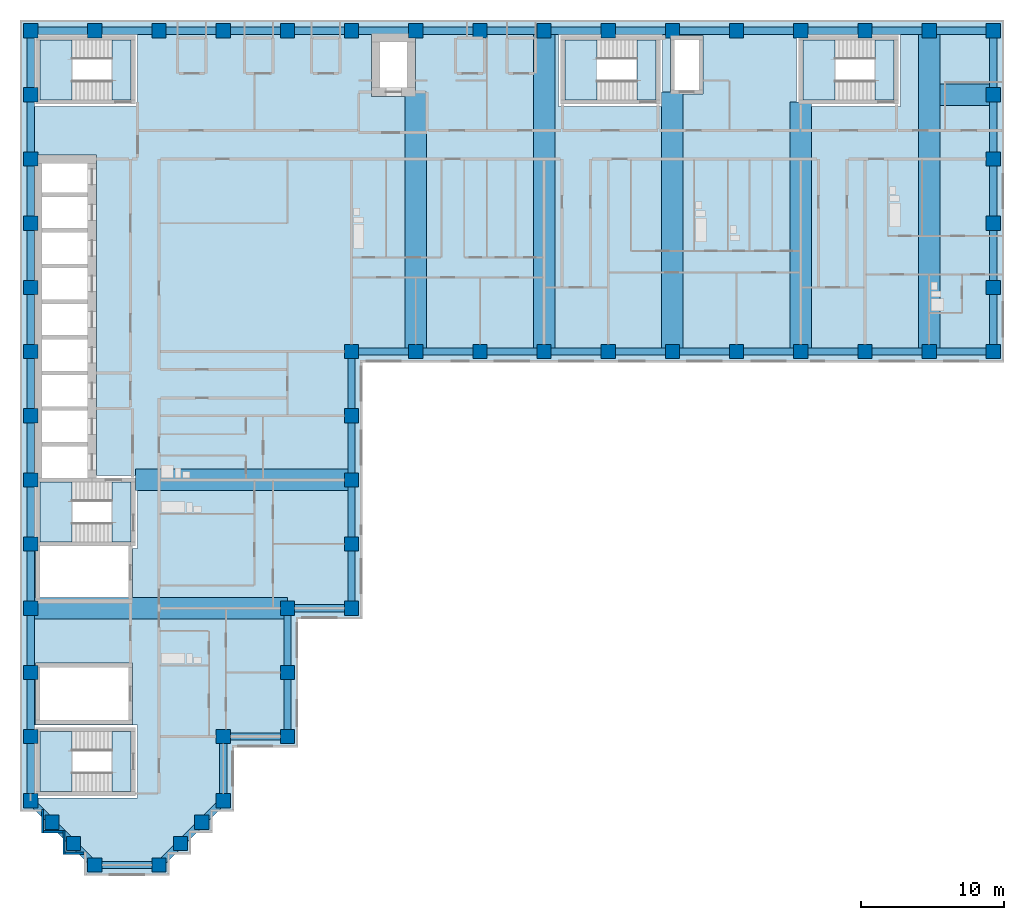
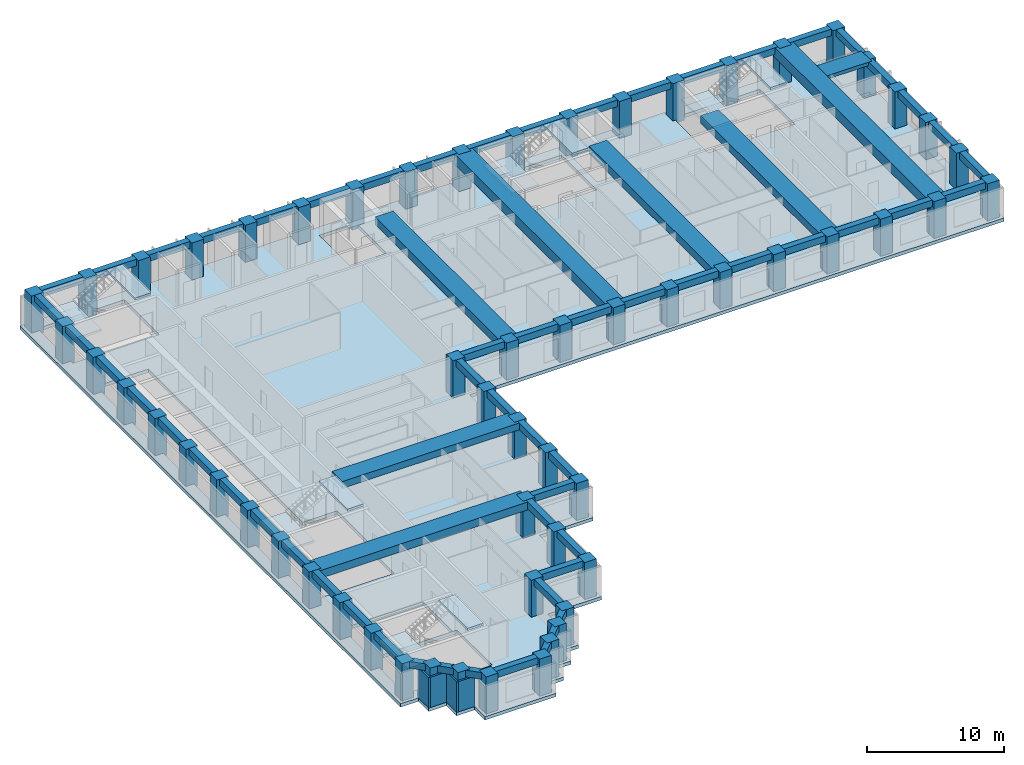
# One storey, part 1 of 11: 66 beams, 58 columns, 11 slabs, 4 walls, 5 elements without a shape of their own.
"""IFC4 building model written with IfcOpenShell, lengths in metres."""

from ifc_helpers import new_model, si_unit, direction, frame, frame_2d, origin, origin_2d, place, context, subcontext, project, spatial, polyline, rectangle, outline, extrude, material, layer, layer_set, material_profile, profile_set, type_object, element, aggregate, save


model = new_model("IFC4")

# Units and contexts
model_context = context("Model", 3, precision=1e-05, world=origin(), true_north=direction((0.0, 1.0)))
body_context = subcontext(model_context, "Body", "Model", "MODEL_VIEW")
ifc_project = project(units=[si_unit("LENGTHUNIT", "METRE"), si_unit("AREAUNIT", "SQUARE_METRE"), si_unit("VOLUMEUNIT", "CUBIC_METRE"), si_unit("PLANEANGLEUNIT", "RADIAN"), si_unit("MASSUNIT", "GRAM", prefix="KILO")], contexts=[model_context])

# Site, building, storey
site_placement = place(None, origin())
site = spatial("IfcSite", under=ifc_project, at=site_placement, CompositionType="ELEMENT")
building_placement = place(site_placement, origin())
building = spatial("IfcBuilding", under=site, at=building_placement, Name="Firuza Court", CompositionType="ELEMENT")
storey_placement = place(building_placement, frame((0.0, 0.0, 130.39990234375)))
storey = spatial("IfcBuildingStorey", under=building, at=storey_placement, Name="L32", CompositionType="ELEMENT", Elevation=130.39990234375)

# Columns
ifc_material_1 = material(Name="Concrete C60/75", Category="concrete")
ifc_material_profile_1 = material_profile(ifc_material_1, rectangle(XDim=1.0, YDim=1.0, at=origin_2d()), Name="RC 1000x1000")
ifc_profile_set_1 = profile_set([ifc_material_profile_1], Name="Concrete C60/75")
column_type = type_object("IfcColumnType", Name="Tube column RC 1000x1000 C60/75", PredefinedType="COLUMN", material=ifc_profile_set_1)
for number, where, z_axis, x_axis, name in (
    (1, (4.5, 0.0, -0.2998046875), (0.0, 0.0, 1.0), (1.0, 0.0, 0.0), "Column C-2D L32"),
    (2, (9.0, 0.0, -0.2998046875), (0.0, 0.0, 1.0), (1.0, 0.0, 0.0), "Column C-3D L32"),
    (3, (3.0, 1.5, -0.2998046875), (0.0, 0.0, 1.0), (1.0, 0.0, 0.0), "Column C-SA1 L32"),
    (4, (10.5, 1.5, -0.2998046875), (0.0, 0.0, 1.0), (1.0, 0.0, 0.0), "Column C-SA2 L32"),
    (5, (1.5, 3.0, -0.2998046875), (0.0, 0.0, 1.0), (1.0, 0.0, 0.0), "Column C-SA3 L32"),
    (6, (12.0, 3.0, -0.2998046875), (0.0, 0.0, 1.0), (1.0, 0.0, 0.0), "Column C-SA4 L32"),
    (7, (0.0, 4.5, -0.2998046875), (0.0, 0.0, 1.0), (1.0, 0.0, 0.0), "Column C-1E L32"),
    (8, (13.5, 4.5, -0.2998046875), (0.0, 0.0, 1.0), (1.0, 0.0, 0.0), "Column C-4E L32"),
    (9, (0.0, 9.0, -0.2998046875), (0.0, 0.0, 1.0), (1.0, 0.0, 0.0), "Column C-1F L32"),
    (10, (13.5, 9.0, -0.2998046875), (0.0, 0.0, 1.0), (1.0, 0.0, 0.0), "Column C-4F L32"),
    (11, (18.0, 9.0, -0.2998046875), (0.0, 0.0, 1.0), (1.0, 0.0, 0.0), "Column C-5F L32"),
    (12, (0.0, 13.5, -0.2998046875), (0.0, 0.0, 1.0), (1.0, 0.0, 0.0), "Column C-1G L32"),
    (13, (18.0, 13.5, -0.2998046875), (0.0, 0.0, 1.0), (1.0, 0.0, 0.0), "Column C-5G L32"),
    (14, (0.0, 18.0, -0.2998046875), (0.0, 0.0, 1.0), (1.0, 0.0, 0.0), "Column C-1H L32"),
    (15, (18.0, 18.0, -0.2998046875), (0.0, 0.0, 1.0), (1.0, 0.0, 0.0), "Column C-5H L32"),
    (16, (22.5, 18.0, -0.2998046875), (0.0, 0.0, 1.0), (1.0, 0.0, 0.0), "Column C-6H L32"),
    (17, (0.0, 22.5, -0.2998046875), (0.0, 0.0, 1.0), (1.0, 0.0, 0.0), "Column C-1J L32"),
    (18, (22.5, 22.5, -0.2998046875), (0.0, 0.0, 1.0), (1.0, 0.0, 0.0), "Column C-6J L32"),
    (19, (0.0, 27.0, -0.2998046875), (0.0, 0.0, 1.0), (1.0, 0.0, 0.0), "Column C-1K L32"),
    (20, (22.5, 27.0, -0.2998046875), (0.0, 0.0, 1.0), (1.0, 0.0, 0.0), "Column C-6K L32"),
    (21, (0.0, 31.5, -0.2998046875), (0.0, 0.0, 1.0), (1.0, 0.0, 0.0), "Column C-1L L32"),
    (22, (22.5, 31.5, -0.2998046875), (0.0, 0.0, 1.0), (1.0, 0.0, 0.0), "Column C-6L L32"),
    (23, (0.0, 36.0, -0.2998046875), (0.0, 0.0, 1.0), (1.0, 0.0, 0.0), "Column C-1M L32"),
    (24, (22.5, 36.0, -0.2998046875), (0.0, 0.0, 1.0), (1.0, 0.0, 0.0), "Column C-6M L32"),
    (25, (27.0, 36.0, -0.2998046875), (0.0, 0.0, 1.0), (1.0, 0.0, 0.0), "Column C-7M L32"),
    (26, (31.5, 36.0, -0.2998046875), (0.0, 0.0, 1.0), (1.0, 0.0, 0.0), "Column C-8M L32"),
    (27, (36.0, 36.0, -0.2998046875), (0.0, 0.0, 1.0), (1.0, 0.0, 0.0), "Column C-9M L32"),
    (28, (40.5, 36.0, -0.2998046875), (0.0, 0.0, 1.0), (1.0, 0.0, 0.0), "Column C-10M L32"),
    (29, (45.0, 36.0, -0.2998046875), (0.0, 0.0, 1.0), (1.0, 0.0, 0.0), "Column C-11M L32"),
    (30, (49.5, 36.0, -0.2998046875), (0.0, 0.0, 1.0), (1.0, 0.0, 0.0), "Column C-12M L32"),
    (31, (54.0, 36.0, -0.2998046875), (0.0, 0.0, 1.0), (1.0, 0.0, 0.0), "Column C-13M L32"),
    (32, (58.5, 36.0, -0.2998046875), (0.0, 0.0, 1.0), (1.0, 0.0, 0.0), "Column C-14M L32"),
    (33, (63.0, 36.0, -0.2998046875), (0.0, 0.0, 1.0), (1.0, 0.0, 0.0), "Column C-15M L32"),
    (34, (67.5, 36.0, -0.2998046875), (0.0, 0.0, 1.0), (1.0, 0.0, 0.0), "Column C-16M L32"),
    (35, (0.0, 40.5, -0.2998046875), (0.0, 0.0, 1.0), (1.0, 0.0, 0.0), "Column C-1N L32"),
    (36, (67.5, 40.5, -0.2998046875), (0.0, 0.0, 1.0), (1.0, 0.0, 0.0), "Column C-16N L32"),
    (37, (0.0, 45.0, -0.2998046875), (0.0, 0.0, 1.0), (1.0, 0.0, 0.0), "Column C-1P L32"),
    (38, (67.5, 45.0, -0.2998046875), (0.0, 0.0, 1.0), (1.0, 0.0, 0.0), "Column C-16P L32"),
    (39, (0.0, 49.5, -0.2998046875), (0.0, 0.0, 1.0), (1.0, 0.0, 0.0), "Column C-1Q L32"),
    (40, (67.5, 49.5, -0.2998046875), (0.0, 0.0, 1.0), (1.0, 0.0, 0.0), "Column C-16Q L32"),
    (41, (0.0, 54.0, -0.2998046875), (0.0, 0.0, 1.0), (1.0, 0.0, 0.0), "Column C-1R L32"),
    (42, (67.5, 54.0, -0.2998046875), (0.0, 0.0, 1.0), (1.0, 0.0, 0.0), "Column C-16R L32"),
    (43, (0.0, 58.5, -0.2998046875), (0.0, 0.0, 1.0), (1.0, 0.0, 0.0), "Column C-1S L32"),
    (44, (4.5, 58.5, -0.2998046875), (0.0, 0.0, 1.0), (1.0, 0.0, 0.0), "Column C-2S L32"),
    (45, (9.0, 58.5, -0.2998046875), (0.0, 0.0, 1.0), (1.0, 0.0, 0.0), "Column C-3S L32"),
    (46, (13.5, 58.5, -0.2998046875), (0.0, 0.0, 1.0), (1.0, 0.0, 0.0), "Column C-4S L32"),
    (47, (18.0, 58.5, -0.2998046875), (0.0, 0.0, 1.0), (1.0, 0.0, 0.0), "Column C-5S L32"),
    (48, (22.5, 58.5, -0.2998046875), (0.0, 0.0, 1.0), (1.0, 0.0, 0.0), "Column C-6S L32"),
    (49, (27.0, 58.5, -0.2998046875), (0.0, 0.0, 1.0), (1.0, 0.0, 0.0), "Column C-7S L32"),
    (50, (31.5, 58.5, -0.2998046875), (0.0, 0.0, 1.0), (1.0, 0.0, 0.0), "Column C-8S L32"),
    (51, (36.0, 58.5, -0.2998046875), (0.0, 0.0, 1.0), (1.0, 0.0, 0.0), "Column C-9S L32"),
    (52, (40.5, 58.5, -0.2998046875), (0.0, 0.0, 1.0), (1.0, 0.0, 0.0), "Column C-10S L32"),
    (53, (45.0, 58.5, -0.2998046875), (0.0, 0.0, 1.0), (1.0, 0.0, 0.0), "Column C-11S L32"),
    (54, (49.5, 58.5, -0.2998046875), (0.0, 0.0, 1.0), (1.0, 0.0, 0.0), "Column C-12S L32"),
    (55, (54.0, 58.5, -0.2998046875), (0.0, 0.0, 1.0), (1.0, 0.0, 0.0), "Column C-13S L32"),
    (56, (58.5, 58.5, -0.2998046875), (0.0, 0.0, 1.0), (1.0, 0.0, 0.0), "Column C-14S L32"),
    (57, (63.0, 58.5, -0.2998046875), (0.0, 0.0, 1.0), (1.0, 0.0, 0.0), "Column C-15S L32"),
    (58, (67.5, 58.5, -0.2998046875), (0.0, 0.0, 1.0), (1.0, 0.0, 0.0), "Column C-16S L32"),
):
    element("IfcColumn", number, at=place(storey_placement, frame(where, z_axis=z_axis, x_axis=x_axis)), inside=storey, type_object=column_type, Name=name, PredefinedType="COLUMN", context=body_context, shape_type="SweptSolid", body=[
        extrude(rectangle(XDim=1.0, YDim=1.0, at=origin_2d()), origin(), (0.0, 0.0, 1.0), 3.599853515625),
    ])

# Beams
ifc_material_2 = material(Name="Concrete C40/50", Category="concrete")
ifc_material_profile_2 = material_profile(ifc_material_2, rectangle(XDim=1.5, YDim=0.300048828125, at=origin_2d()), Name="RC 1500x300")
ifc_profile_set_2 = profile_set([ifc_material_profile_2], Name="Concrete C40/50")
beam_type_1 = type_object("IfcBeamType", Name="Band beam RC 1500x300 C40/50", PredefinedType="BEAM", material=ifc_profile_set_2)
beam_1_placement = place(storey_placement, frame((67.5, 54.0, 3.150146484375), z_axis=(-1.0, 0.0, 0.0), x_axis=(0.0, -1.0, 0.0)))
element("IfcBeam", 59, at=beam_1_placement, inside=storey, type_object=beam_type_1, Name="Band beam FB6 level L33", PredefinedType="BEAM", context=body_context, shape_type="SweptSolid", body=[
    extrude(rectangle(XDim=1.5, YDim=0.300048828125, at=origin_2d()), origin(), (0.0, 0.0, 1.0), 3.75),
])
ifc_material_3 = material(Name="Concrete C40/50", Category="concrete")
ifc_material_profile_3 = material_profile(ifc_material_3, rectangle(XDim=1.5, YDim=0.60009765625, at=origin_2d()), Name="RC 1500x600")
ifc_profile_set_3 = profile_set([ifc_material_profile_3], Name="Concrete C40/50")
beam_type_2 = type_object("IfcBeamType", Name="Band beam RC 1500x600 C40/50", PredefinedType="BEAM", material=ifc_profile_set_3)
beam_2_placement = place(storey_placement, frame((22.5, 27.0, 3.0), z_axis=(-1.0, 0.0, 0.0), x_axis=(0.0, -1.0, 0.0)))
element("IfcBeam", 60, at=beam_2_placement, inside=storey, type_object=beam_type_2, Name="Band beam FB3 level L33", PredefinedType="BEAM", context=body_context, shape_type="SweptSolid", body=[
    extrude(rectangle(XDim=1.5, YDim=0.60009765625, at=origin_2d()), origin(), (0.0, 0.0, 1.0), 15.14990234375),
])
ifc_material_4 = material(Name="Concrete C40/50", Category="concrete")
ifc_material_profile_4 = material_profile(ifc_material_4, rectangle(XDim=1.5, YDim=0.699951171875, at=origin_2d()), Name="RC 1500x700")
ifc_profile_set_4 = profile_set([ifc_material_profile_4], Name="Concrete C40/50")
beam_type_3 = type_object("IfcBeamType", Name="Band beam RC 1500x700 C40/50", PredefinedType="BEAM", material=ifc_profile_set_4)
beam_3_placement = place(storey_placement, frame((0.0, 18.0, 2.9501953125), z_axis=(1.0, 0.0, 0.0), x_axis=(0.0, 1.0, 0.0)))
element("IfcBeam", 61, at=beam_3_placement, inside=storey, type_object=beam_type_3, Name="Band beam FB1 level L33", PredefinedType="BEAM", context=body_context, shape_type="SweptSolid", body=[
    extrude(rectangle(XDim=1.5, YDim=0.699951171875, at=origin_2d()), origin(), (0.0, 0.0, 1.0), 18.0),
])
for number, where, z_axis, x_axis, name in (
    (62, (27.0, 36.0, 2.9501953125), (0.0, 1.0, 0.0), (-1.0, 0.0, 0.0), "Band beam FB1 level L33"),
    (63, (45.0, 36.0, 2.9501953125), (0.0, 1.0, 0.0), (-1.0, 0.0, 0.0), "Band beam FB1 level L33"),
):
    element("IfcBeam", number, at=place(storey_placement, frame(where, z_axis=z_axis, x_axis=x_axis)), inside=storey, type_object=beam_type_3, Name=name, PredefinedType="BEAM", context=body_context, shape_type="SweptSolid", body=[
        extrude(rectangle(XDim=1.5, YDim=0.699951171875, at=origin_2d()), origin(), (0.0, 0.0, 1.0), 18.199951171875),
    ])
beam_4_placement = place(storey_placement, frame((54.0, 36.0, 2.9501953125), z_axis=(0.0, 1.0, 0.0), x_axis=(-1.0, 0.0, 0.0)))
element("IfcBeam", 64, at=beam_4_placement, inside=storey, type_object=beam_type_3, Name="Band beam FB1 level L33", PredefinedType="BEAM", context=body_context, shape_type="SweptSolid", body=[
    extrude(rectangle(XDim=1.5, YDim=0.699951171875, at=origin_2d()), origin(), (0.0, 0.0, 1.0), 17.5),
])
ifc_material_5 = material(Name="Concrete C40/50", Category="concrete")
ifc_material_profile_5 = material_profile(ifc_material_5, rectangle(XDim=1.5, YDim=0.89990234375, at=origin_2d()), Name="RC 1500x900")
ifc_profile_set_5 = profile_set([ifc_material_profile_5], Name="Concrete C40/50")
beam_type_4 = type_object("IfcBeamType", Name="Band beam RC 1500x900 C40/50", PredefinedType="BEAM", material=ifc_profile_set_5)
for number, where, z_axis, x_axis, name in (
    (65, (36.0, 36.0, 2.85009765625), (0.0, 1.0, 0.0), (-1.0, 0.0, 0.0), "Band beam FB2 level L33"),
    (66, (63.0, 36.0, 2.85009765625), (0.0, 1.0, 0.0), (-1.0, 0.0, 0.0), "Band beam FB2 level L33"),
):
    element("IfcBeam", number, at=place(storey_placement, frame(where, z_axis=z_axis, x_axis=x_axis)), inside=storey, type_object=beam_type_4, Name=name, PredefinedType="BEAM", context=body_context, shape_type="SweptSolid", body=[
        extrude(rectangle(XDim=1.5, YDim=0.89990234375, at=origin_2d()), origin(), (0.0, 0.0, 1.0), 22.5),
    ])
ifc_material_6 = material(Name="Concrete C40/50", Category="concrete")
ifc_material_profile_6 = material_profile(ifc_material_6, rectangle(XDim=0.5, YDim=0.60009765625, at=origin_2d()), Name="RC 500x600")
ifc_profile_set_6 = profile_set([ifc_material_profile_6], Name="Concrete C40/50")
beam_type_5 = type_object("IfcBeamType", Name="Spandrel beam RC 500x600 C40/50", PredefinedType="BEAM", material=ifc_profile_set_6)
beam_5_placement = place(storey_placement, frame((0.0, 4.5, 3.0), z_axis=(0.707106781187, -0.707106781187, 0.0), x_axis=(0.707106781187, 0.707106781187, 0.0)))
element("IfcBeam", 67, at=beam_5_placement, inside=storey, type_object=beam_type_5, Name="Spandrel beam SP13 level L33", PredefinedType="BEAM", context=body_context, shape_type="SweptSolid", body=[
    extrude(rectangle(XDim=0.5, YDim=0.60009765625, at=origin_2d()), origin(), (0.0, 0.0, 1.0), 2.121337890625),
])
for number, where, z_axis, x_axis, name in (
    (68, (0.0, 9.0, 3.0), (0.0, -1.0, 0.0), (1.0, 0.0, 0.0), "Spandrel beam SP13 level L33"),
    (69, (0.0, 13.5, 3.0), (0.0, -1.0, 0.0), (1.0, 0.0, 0.0), "Spandrel beam SP13 level L33"),
    (70, (0.0, 18.0, 3.0), (0.0, -1.0, 0.0), (1.0, 0.0, 0.0), "Spandrel beam SP13 level L33"),
    (71, (0.0, 22.5, 3.0), (0.0, -1.0, 0.0), (1.0, 0.0, 0.0), "Spandrel beam SP13 level L33"),
    (72, (0.0, 27.0, 3.0), (0.0, -1.0, 0.0), (1.0, 0.0, 0.0), "Spandrel beam SP13 level L33"),
    (73, (0.0, 31.5, 3.0), (0.0, -1.0, 0.0), (1.0, 0.0, 0.0), "Spandrel beam SP13 level L33"),
    (74, (0.0, 36.0, 3.0), (0.0, -1.0, 0.0), (1.0, 0.0, 0.0), "Spandrel beam SP13 level L33"),
    (75, (0.0, 40.5, 3.0), (0.0, -1.0, 0.0), (1.0, 0.0, 0.0), "Spandrel beam SP13 level L33"),
    (76, (0.0, 45.0, 3.0), (0.0, -1.0, 0.0), (1.0, 0.0, 0.0), "Spandrel beam SP13 level L33"),
    (77, (0.0, 49.5, 3.0), (0.0, -1.0, 0.0), (1.0, 0.0, 0.0), "Spandrel beam SP13 level L33"),
    (78, (0.0, 54.0, 3.0), (0.0, -1.0, 0.0), (1.0, 0.0, 0.0), "Spandrel beam SP13 level L33"),
    (79, (0.0, 58.5, 3.0), (0.0, -1.0, 0.0), (1.0, 0.0, 0.0), "Spandrel beam SP13 level L33"),
):
    element("IfcBeam", number, at=place(storey_placement, frame(where, z_axis=z_axis, x_axis=x_axis)), inside=storey, type_object=beam_type_5, Name=name, PredefinedType="BEAM", context=body_context, shape_type="SweptSolid", body=[
        extrude(rectangle(XDim=0.5, YDim=0.60009765625, at=origin_2d()), origin(), (0.0, 0.0, 1.0), 4.5),
    ])
for number, where, z_axis, x_axis, name in (
    (80, (1.5, 3.0, 3.0), (0.707106781187, -0.707106781187, 0.0), (0.707106781187, 0.707106781187, 0.0), "Spandrel beam SP13 level L33"),
    (81, (3.0, 1.5, 3.0), (0.707106781187, -0.707106781187, 0.0), (0.707106781187, 0.707106781187, 0.0), "Spandrel beam SP13 level L33"),
):
    element("IfcBeam", number, at=place(storey_placement, frame(where, z_axis=z_axis, x_axis=x_axis)), inside=storey, type_object=beam_type_5, Name=name, PredefinedType="BEAM", context=body_context, shape_type="SweptSolid", body=[
        extrude(rectangle(XDim=0.5, YDim=0.60009765625, at=origin_2d()), origin(), (0.0, 0.0, 1.0), 2.121337890625),
    ])
for number, where, z_axis, x_axis, name in (
    (82, (4.5, 0.0, 3.0), (1.0, 0.0, 0.0), (0.0, 1.0, 0.0), "Spandrel beam SP13 level L33"),
    (83, (4.5, 58.5, 3.0), (-1.0, 0.0, 0.0), (0.0, -1.0, 0.0), "Spandrel beam SP13 level L33"),
):
    element("IfcBeam", number, at=place(storey_placement, frame(where, z_axis=z_axis, x_axis=x_axis)), inside=storey, type_object=beam_type_5, Name=name, PredefinedType="BEAM", context=body_context, shape_type="SweptSolid", body=[
        extrude(rectangle(XDim=0.5, YDim=0.60009765625, at=origin_2d()), origin(), (0.0, 0.0, 1.0), 4.5),
    ])
beam_6_placement = place(storey_placement, frame((9.0, 0.0, 3.0), z_axis=(0.707106781187, 0.707106781187, 0.0), x_axis=(-0.707106781187, 0.707106781187, 0.0)))
element("IfcBeam", 84, at=beam_6_placement, inside=storey, type_object=beam_type_5, Name="Spandrel beam SP13 level L33", PredefinedType="BEAM", context=body_context, shape_type="SweptSolid", body=[
    extrude(rectangle(XDim=0.5, YDim=0.60009765625, at=origin_2d()), origin(), (0.0, 0.0, 1.0), 2.121337890625),
])
beam_7_placement = place(storey_placement, frame((9.0, 58.5, 3.0), z_axis=(-1.0, 0.0, 0.0), x_axis=(0.0, -1.0, 0.0)))
element("IfcBeam", 85, at=beam_7_placement, inside=storey, type_object=beam_type_5, Name="Spandrel beam SP13 level L33", PredefinedType="BEAM", context=body_context, shape_type="SweptSolid", body=[
    extrude(rectangle(XDim=0.5, YDim=0.60009765625, at=origin_2d()), origin(), (0.0, 0.0, 1.0), 4.5),
])
for number, where, z_axis, x_axis, name in (
    (86, (10.5, 1.5, 3.0), (0.707106781187, 0.707106781187, 0.0), (-0.707106781187, 0.707106781187, 0.0), "Spandrel beam SP13 level L33"),
    (87, (12.0, 3.0, 3.0), (0.707106781187, 0.707106781187, 0.0), (-0.707106781187, 0.707106781187, 0.0), "Spandrel beam SP13 level L33"),
):
    element("IfcBeam", number, at=place(storey_placement, frame(where, z_axis=z_axis, x_axis=x_axis)), inside=storey, type_object=beam_type_5, Name=name, PredefinedType="BEAM", context=body_context, shape_type="SweptSolid", body=[
        extrude(rectangle(XDim=0.5, YDim=0.60009765625, at=origin_2d()), origin(), (0.0, 0.0, 1.0), 2.121337890625),
    ])
for number, where, z_axis, x_axis, name in (
    (88, (13.5, 4.5, 3.0), (0.0, 1.0, 0.0), (-1.0, 0.0, 0.0), "Spandrel beam SP13 level L33"),
    (89, (13.5, 9.0, 3.0), (1.0, 0.0, 0.0), (0.0, 1.0, 0.0), "Spandrel beam SP13 level L33"),
    (90, (13.5, 58.5, 3.0), (-1.0, 0.0, 0.0), (0.0, -1.0, 0.0), "Spandrel beam SP13 level L33"),
    (91, (18.0, 9.0, 3.0), (0.0, 1.0, 0.0), (-1.0, 0.0, 0.0), "Spandrel beam SP13 level L33"),
    (92, (18.0, 13.5, 3.0), (0.0, 1.0, 0.0), (-1.0, 0.0, 0.0), "Spandrel beam SP13 level L33"),
    (93, (18.0, 18.0, 3.0), (1.0, 0.0, 0.0), (0.0, 1.0, 0.0), "Spandrel beam SP13 level L33"),
    (94, (18.0, 58.5, 3.0), (-1.0, 0.0, 0.0), (0.0, -1.0, 0.0), "Spandrel beam SP13 level L33"),
    (95, (22.5, 18.0, 3.0), (0.0, 1.0, 0.0), (-1.0, 0.0, 0.0), "Spandrel beam SP13 level L33"),
    (96, (22.5, 22.5, 3.0), (0.0, 1.0, 0.0), (-1.0, 0.0, 0.0), "Spandrel beam SP13 level L33"),
    (97, (22.5, 27.0, 3.0), (0.0, 1.0, 0.0), (-1.0, 0.0, 0.0), "Spandrel beam SP13 level L33"),
    (98, (22.5, 31.5, 3.0), (0.0, 1.0, 0.0), (-1.0, 0.0, 0.0), "Spandrel beam SP13 level L33"),
    (99, (22.5, 36.0, 3.0), (1.0, 0.0, 0.0), (0.0, 1.0, 0.0), "Spandrel beam SP13 level L33"),
    (100, (22.5, 58.5, 3.0), (-1.0, 0.0, 0.0), (0.0, -1.0, 0.0), "Spandrel beam SP13 level L33"),
    (101, (27.0, 36.0, 3.0), (1.0, 0.0, 0.0), (0.0, 1.0, 0.0), "Spandrel beam SP13 level L33"),
    (102, (27.0, 58.5, 3.0), (-1.0, 0.0, 0.0), (0.0, -1.0, 0.0), "Spandrel beam SP13 level L33"),
    (103, (31.5, 36.0, 3.0), (1.0, 0.0, 0.0), (0.0, 1.0, 0.0), "Spandrel beam SP13 level L33"),
    (104, (31.5, 58.5, 3.0), (-1.0, 0.0, 0.0), (0.0, -1.0, 0.0), "Spandrel beam SP13 level L33"),
    (105, (36.0, 36.0, 3.0), (1.0, 0.0, 0.0), (0.0, 1.0, 0.0), "Spandrel beam SP13 level L33"),
    (106, (36.0, 58.5, 3.0), (-1.0, 0.0, 0.0), (0.0, -1.0, 0.0), "Spandrel beam SP13 level L33"),
    (107, (40.5, 36.0, 3.0), (1.0, 0.0, 0.0), (0.0, 1.0, 0.0), "Spandrel beam SP13 level L33"),
    (108, (40.5, 58.5, 3.0), (-1.0, 0.0, 0.0), (0.0, -1.0, 0.0), "Spandrel beam SP13 level L33"),
    (109, (45.0, 36.0, 3.0), (1.0, 0.0, 0.0), (0.0, 1.0, 0.0), "Spandrel beam SP13 level L33"),
    (110, (45.0, 58.5, 3.0), (-1.0, 0.0, 0.0), (0.0, -1.0, 0.0), "Spandrel beam SP13 level L33"),
    (111, (49.5, 36.0, 3.0), (1.0, 0.0, 0.0), (0.0, 1.0, 0.0), "Spandrel beam SP13 level L33"),
    (112, (49.5, 58.5, 3.0), (-1.0, 0.0, 0.0), (0.0, -1.0, 0.0), "Spandrel beam SP13 level L33"),
    (113, (54.0, 36.0, 3.0), (1.0, 0.0, 0.0), (0.0, 1.0, 0.0), "Spandrel beam SP13 level L33"),
    (114, (54.0, 58.5, 3.0), (-1.0, 0.0, 0.0), (0.0, -1.0, 0.0), "Spandrel beam SP13 level L33"),
    (115, (58.5, 36.0, 3.0), (1.0, 0.0, 0.0), (0.0, 1.0, 0.0), "Spandrel beam SP13 level L33"),
    (116, (58.5, 58.5, 3.0), (-1.0, 0.0, 0.0), (0.0, -1.0, 0.0), "Spandrel beam SP13 level L33"),
    (117, (63.0, 36.0, 3.0), (1.0, 0.0, 0.0), (0.0, 1.0, 0.0), "Spandrel beam SP13 level L33"),
    (118, (63.0, 58.5, 3.0), (-1.0, 0.0, 0.0), (0.0, -1.0, 0.0), "Spandrel beam SP13 level L33"),
    (119, (67.5, 36.0, 3.0), (0.0, 1.0, 0.0), (-1.0, 0.0, 0.0), "Spandrel beam SP13 level L33"),
    (120, (67.5, 40.5, 3.0), (0.0, 1.0, 0.0), (-1.0, 0.0, 0.0), "Spandrel beam SP13 level L33"),
    (121, (67.5, 45.0, 3.0), (0.0, 1.0, 0.0), (-1.0, 0.0, 0.0), "Spandrel beam SP13 level L33"),
    (122, (67.5, 49.5, 3.0), (0.0, 1.0, 0.0), (-1.0, 0.0, 0.0), "Spandrel beam SP13 level L33"),
    (123, (67.5, 54.0, 3.0), (0.0, 1.0, 0.0), (-1.0, 0.0, 0.0), "Spandrel beam SP13 level L33"),
    (124, (67.5, 58.5, 3.0), (-1.0, 0.0, 0.0), (0.0, -1.0, 0.0), "Spandrel beam SP13 level L33"),
):
    element("IfcBeam", number, at=place(storey_placement, frame(where, z_axis=z_axis, x_axis=x_axis)), inside=storey, type_object=beam_type_5, Name=name, PredefinedType="BEAM", context=body_context, shape_type="SweptSolid", body=[
        extrude(rectangle(XDim=0.5, YDim=0.60009765625, at=origin_2d()), origin(), (0.0, 0.0, 1.0), 4.5),
    ])

# Slab
ifc_material_7 = material(Name="Concrete C40/50", Category="concrete")
ifc_layer_1 = layer(ifc_material_7, 0.300048828125)
ifc_layer_set_1 = layer_set([ifc_layer_1], Name="Concrete C40/50")
slab_type_1 = type_object("IfcSlabType", Name="Floor slab 300 C40/50", PredefinedType="FLOOR", material=ifc_layer_set_1)
slab_1_placement = place(storey_placement, frame((0.0, 0.0, -0.2998046875)))
element("IfcSlab", 125, at=slab_1_placement, inside=storey, type_object=slab_type_1, Name="Floor slab L32", PredefinedType="FLOOR", context=body_context, shape_type="SweptSolid", body=[
    extrude(outline(polyline([(3.75, -0.75), (3.75, 0.75), (2.25, 0.75), (2.25, 2.25), (0.75, 2.25), (0.75, 3.75), (-0.75, 3.75), (-0.75, 59.25), (68.25, 59.25), (68.25, 35.25), (23.25, 35.25), (23.25, 17.25), (18.75, 17.25), (18.75, 8.25), (14.25, 8.25), (14.25, 3.75), (12.75, 3.75), (12.75, 2.25), (11.25, 2.25), (11.25, 0.75), (9.75, 0.75), (9.75, -0.75), (3.75, -0.75)]), holes=[polyline([(0.199951171875, 29.800048828125), (0.199951171875, 29.199951171875), (0.199951171875, 27.300048828125), (0.199951171875, 26.699951171875), (0.199951171875, 22.199951171875), (0.35009765625, 22.199951171875), (0.35009765625, 18.35009765625), (7.14990234375, 18.35009765625), (7.14990234375, 22.199951171875), (7.5, 22.199951171875), (7.5, 27.300048828125), (4.60009765625, 27.300048828125), (4.60009765625, 29.199951171875), (4.60009765625, 29.800048828125), (4.60009765625, 31.699951171875), (4.60009765625, 32.300048828125), (4.60009765625, 34.199951171875), (4.60009765625, 34.800048828125), (4.60009765625, 36.699951171875), (4.60009765625, 37.300048828125), (4.60009765625, 39.199951171875), (4.60009765625, 39.800048828125), (4.60009765625, 41.699951171875), (4.60009765625, 42.300048828125), (4.60009765625, 44.199951171875), (4.60009765625, 44.800048828125), (4.60009765625, 46.699951171875), (4.60009765625, 47.300048828125), (4.60009765625, 49.800048828125), (0.199951171875, 49.800048828125), (0.199951171875, 47.300048828125), (0.199951171875, 46.699951171875), (0.199951171875, 44.800048828125), (0.199951171875, 44.199951171875), (0.199951171875, 42.300048828125), (0.199951171875, 41.699951171875), (0.199951171875, 39.800048828125), (0.199951171875, 39.199951171875), (0.199951171875, 37.300048828125), (0.199951171875, 36.699951171875), (0.199951171875, 34.800048828125), (0.199951171875, 34.199951171875), (0.199951171875, 32.300048828125), (0.199951171875, 31.699951171875), (0.199951171875, 29.800048828125)]), polyline([(7.5, 9.800048828125), (0.199951171875, 9.800048828125), (0.199951171875, 4.699951171875), (7.5, 4.699951171875), (7.5, 9.800048828125)]), polyline([(7.14990234375, 14.14990234375), (0.35009765625, 14.14990234375), (0.35009765625, 9.85009765625), (7.14990234375, 9.85009765625), (7.14990234375, 14.14990234375)]), polyline([(7.5, 58.300048828125), (0.199951171875, 58.300048828125), (0.199951171875, 53.199951171875), (7.5, 53.199951171875), (7.5, 58.300048828125)]), polyline([(44.300048828125, 58.300048828125), (37.0, 58.300048828125), (37.0, 53.199951171875), (44.300048828125, 53.199951171875), (44.300048828125, 58.300048828125)]), polyline([(61.0, 58.300048828125), (53.699951171875, 58.300048828125), (53.699951171875, 53.199951171875), (61.0, 53.199951171875), (61.0, 58.300048828125)]), polyline([(27.0, 53.89990234375), (27.0, 58.300048828125), (23.89990234375, 58.300048828125), (23.89990234375, 53.89990234375), (27.0, 53.89990234375)]), polyline([(47.14990234375, 54.050048828125), (47.14990234375, 58.14990234375), (44.85009765625, 58.14990234375), (44.85009765625, 54.050048828125), (47.14990234375, 54.050048828125)])]), origin(), (0.0, 0.0, 1.0), 0.2998046875),
])

# Stair, slabs
ifc_material_8 = material(Name="Concrete C40/50 precast", Category="concrete")
stair_type = type_object("IfcStairType", Name="Stair 1350 x 3600 2 flights", PredefinedType="HALF_TURN_STAIR", material=ifc_material_8)
stair_1_placement = place(storey_placement, origin())
stair_1 = element("IfcStair", 126, at=stair_1_placement, inside=storey, type_object=stair_type, Name="Stair 1 L32", PredefinedType="HALF_TURN_STAIR")
ifc_material_9 = material(Name="Concrete C40/50 precast", Category="concrete")
ifc_layer_2 = layer(ifc_material_9, 0.199951171875)
ifc_layer_set_2 = layer_set([ifc_layer_2], Name="Concrete C40/50 precast")
slab_type_2 = type_object("IfcSlabType", Name="Stair landing 200", PredefinedType="LANDING", material=ifc_layer_set_2)
slab_2_placement = place(storey_placement, frame((0.0, 0.0, 1.60009765625)))
slab_2 = element("IfcSlab", 127, at=slab_2_placement, type_object=slab_type_2, Name="S1 landing 1", PredefinedType="LANDING", context=body_context, shape_type="SweptSolid", body=[
    extrude(outline(polyline([(39.699951171875, 53.64990234375), (39.699951171875, 57.85009765625), (37.449951171875, 57.85009765625), (37.449951171875, 53.64990234375), (39.699951171875, 53.64990234375)])), origin(), (0.0, 0.0, 1.0), 0.199951171875),
])
slab_3_placement = place(storey_placement, frame((0.0, 0.0, 3.400146484375)))
slab_3 = element("IfcSlab", 128, at=slab_3_placement, type_object=slab_type_2, Name="S1 landing 2", PredefinedType="LANDING", context=body_context, shape_type="SweptSolid", body=[
    extrude(outline(polyline([(43.85009765625, 53.64990234375), (43.85009765625, 57.85009765625), (42.5, 57.85009765625), (42.5, 53.64990234375), (43.85009765625, 53.64990234375)])), origin(), (0.0, 0.0, 1.0), 0.199951171875),
])
aggregate(stair_1, [slab_2, slab_3])

stair_2_placement = place(storey_placement, origin())
stair_2 = element("IfcStair", 129, at=stair_2_placement, inside=storey, type_object=stair_type, Name="Stair 2 L32", PredefinedType="HALF_TURN_STAIR")
slab_4_placement = place(storey_placement, frame((0.0, 0.0, 1.60009765625)))
slab_4 = element("IfcSlab", 130, at=slab_4_placement, type_object=slab_type_2, Name="S2 landing 1", PredefinedType="LANDING", context=body_context, shape_type="SweptSolid", body=[
    extrude(outline(polyline([(2.89990234375, 22.64990234375), (2.89990234375, 26.85009765625), (0.64990234375, 26.85009765625), (0.64990234375, 22.64990234375), (2.89990234375, 22.64990234375)])), origin(), (0.0, 0.0, 1.0), 0.199951171875),
])
slab_5_placement = place(storey_placement, frame((0.0, 0.0, 3.400146484375)))
slab_5 = element("IfcSlab", 131, at=slab_5_placement, type_object=slab_type_2, Name="S2 landing 2", PredefinedType="LANDING", context=body_context, shape_type="SweptSolid", body=[
    extrude(outline(polyline([(7.050048828125, 22.64990234375), (7.050048828125, 26.85009765625), (5.699951171875, 26.85009765625), (5.699951171875, 22.64990234375), (7.050048828125, 22.64990234375)])), origin(), (0.0, 0.0, 1.0), 0.199951171875),
])
aggregate(stair_2, [slab_4, slab_5])

stair_3_placement = place(storey_placement, origin())
stair_3 = element("IfcStair", 132, at=stair_3_placement, inside=storey, type_object=stair_type, Name="Stair 3 L32", PredefinedType="HALF_TURN_STAIR")
slab_6_placement = place(storey_placement, frame((0.0, 0.0, 1.60009765625)))
slab_6 = element("IfcSlab", 133, at=slab_6_placement, type_object=slab_type_2, Name="S3 landing 1", PredefinedType="LANDING", context=body_context, shape_type="SweptSolid", body=[
    extrude(outline(polyline([(2.89990234375, 53.64990234375), (2.89990234375, 57.85009765625), (0.64990234375, 57.85009765625), (0.64990234375, 53.64990234375), (2.89990234375, 53.64990234375)])), origin(), (0.0, 0.0, 1.0), 0.199951171875),
])
slab_7_placement = place(storey_placement, frame((0.0, 0.0, 3.400146484375)))
slab_7 = element("IfcSlab", 134, at=slab_7_placement, type_object=slab_type_2, Name="S3 landing 2", PredefinedType="LANDING", context=body_context, shape_type="SweptSolid", body=[
    extrude(outline(polyline([(7.050048828125, 53.64990234375), (7.050048828125, 57.85009765625), (5.699951171875, 57.85009765625), (5.699951171875, 53.64990234375), (7.050048828125, 53.64990234375)])), origin(), (0.0, 0.0, 1.0), 0.199951171875),
])
aggregate(stair_3, [slab_6, slab_7])

stair_4_placement = place(storey_placement, origin())
stair_4 = element("IfcStair", 135, at=stair_4_placement, inside=storey, type_object=stair_type, Name="Stair 4 L32", PredefinedType="HALF_TURN_STAIR")
slab_8_placement = place(storey_placement, frame((0.0, 0.0, 1.60009765625)))
slab_8 = element("IfcSlab", 136, at=slab_8_placement, type_object=slab_type_2, Name="S4 landing 1", PredefinedType="LANDING", context=body_context, shape_type="SweptSolid", body=[
    extrude(outline(polyline([(56.39990234375, 53.64990234375), (56.39990234375, 57.85009765625), (54.14990234375, 57.85009765625), (54.14990234375, 53.64990234375), (56.39990234375, 53.64990234375)])), origin(), (0.0, 0.0, 1.0), 0.199951171875),
])
slab_9_placement = place(storey_placement, frame((0.0, 0.0, 3.400146484375)))
slab_9 = element("IfcSlab", 137, at=slab_9_placement, type_object=slab_type_2, Name="S4 landing 2", PredefinedType="LANDING", context=body_context, shape_type="SweptSolid", body=[
    extrude(outline(polyline([(60.550048828125, 53.64990234375), (60.550048828125, 57.85009765625), (59.199951171875, 57.85009765625), (59.199951171875, 53.64990234375), (60.550048828125, 53.64990234375)])), origin(), (0.0, 0.0, 1.0), 0.199951171875),
])
aggregate(stair_4, [slab_8, slab_9])

stair_5_placement = place(storey_placement, origin())
stair_5 = element("IfcStair", 138, at=stair_5_placement, inside=storey, type_object=stair_type, Name="Stair 5 L32", PredefinedType="HALF_TURN_STAIR")
slab_10_placement = place(storey_placement, frame((0.0, 0.0, 1.60009765625)))
slab_10 = element("IfcSlab", 139, at=slab_10_placement, type_object=slab_type_2, Name="S5 landing 1", PredefinedType="LANDING", context=body_context, shape_type="SweptSolid", body=[
    extrude(outline(polyline([(2.89990234375, 5.14990234375), (2.89990234375, 9.35009765625), (0.64990234375, 9.35009765625), (0.64990234375, 5.14990234375), (2.89990234375, 5.14990234375)])), origin(), (0.0, 0.0, 1.0), 0.199951171875),
])
slab_11_placement = place(storey_placement, frame((0.0, 0.0, 3.400146484375)))
slab_11 = element("IfcSlab", 140, at=slab_11_placement, type_object=slab_type_2, Name="S5 landing 2", PredefinedType="LANDING", context=body_context, shape_type="SweptSolid", body=[
    extrude(outline(polyline([(7.050048828125, 5.14990234375), (7.050048828125, 9.35009765625), (5.699951171875, 9.35009765625), (5.699951171875, 5.14990234375), (7.050048828125, 5.14990234375)])), origin(), (0.0, 0.0, 1.0), 0.199951171875),
])
aggregate(stair_5, [slab_10, slab_11])

# Walls
ifc_material_10 = material(Name="Ceramic tile", Category="ceramic")
ifc_layer_3 = layer(ifc_material_10, 0.02001953125)
ifc_material_11 = material(Name="Mineral wool insulation", Category="insulation")
ifc_layer_4 = layer(ifc_material_11, 0.050048828125)
ifc_layer_5 = layer(ifc_material_9, 0.080078125)
ifc_layer_set_3 = layer_set([ifc_layer_3, ifc_layer_4, ifc_layer_5], Name="Concrete C40/50 precast")
wall_type = type_object("IfcWallType", Name="Precast cladding wall with turquoise TILE PANEL face 150", PredefinedType="STANDARD", material=ifc_layer_set_3)
wall_1_placement = place(storey_placement, frame((0.824951171875, 3.89990234375, 0.0), z_axis=(0.0, 0.0, 1.0), x_axis=(0.0, -1.0, 0.0)))
element("IfcWall", 141, at=wall_1_placement, inside=storey, type_object=wall_type, Name="Facade wall L32 W", PredefinedType="STANDARD", context=body_context, shape_type="SweptSolid", body=[
    extrude(rectangle(XDim=1.64990234375, YDim=0.14990234375, at=frame_2d((0.824951171875, 0.0))), origin(), (0.0, 0.0, 1.0), 2.7001953125),
])
wall_2_placement = place(storey_placement, frame((0.89990234375, 2.324951171875, 0.0), z_axis=(0.0, 0.0, 1.0), x_axis=(1.0, 0.0, 0.0)))
element("IfcWall", 142, at=wall_2_placement, inside=storey, type_object=wall_type, Name="Facade wall L32 S", PredefinedType="STANDARD", context=body_context, shape_type="SweptSolid", body=[
    extrude(rectangle(XDim=1.35009765625, YDim=0.14990234375, at=frame_2d((0.675048828125, 0.0))), origin(), (0.0, 0.0, 1.0), 2.7001953125),
])
wall_3_placement = place(storey_placement, frame((2.324951171875, 2.39990234375, 0.0), z_axis=(0.0, 0.0, 1.0), x_axis=(0.0, -1.0, 0.0)))
element("IfcWall", 143, at=wall_3_placement, inside=storey, type_object=wall_type, Name="Facade wall L32 W", PredefinedType="STANDARD", context=body_context, shape_type="SweptSolid", body=[
    extrude(rectangle(XDim=1.64990234375, YDim=0.14990234375, at=frame_2d((0.824951171875, 0.0))), origin(), (0.0, 0.0, 1.0), 2.7001953125),
])
wall_4_placement = place(storey_placement, frame((2.39990234375, 0.824951171875, 0.0), z_axis=(0.0, 0.0, 1.0), x_axis=(1.0, 0.0, 0.0)))
element("IfcWall", 144, at=wall_4_placement, inside=storey, type_object=wall_type, Name="Facade wall L32 S", PredefinedType="STANDARD", context=body_context, shape_type="SweptSolid", body=[
    extrude(rectangle(XDim=1.35009765625, YDim=0.14990234375, at=frame_2d((0.675048828125, 0.0))), origin(), (0.0, 0.0, 1.0), 2.7001953125),
])

save(model, "model.ifc")
